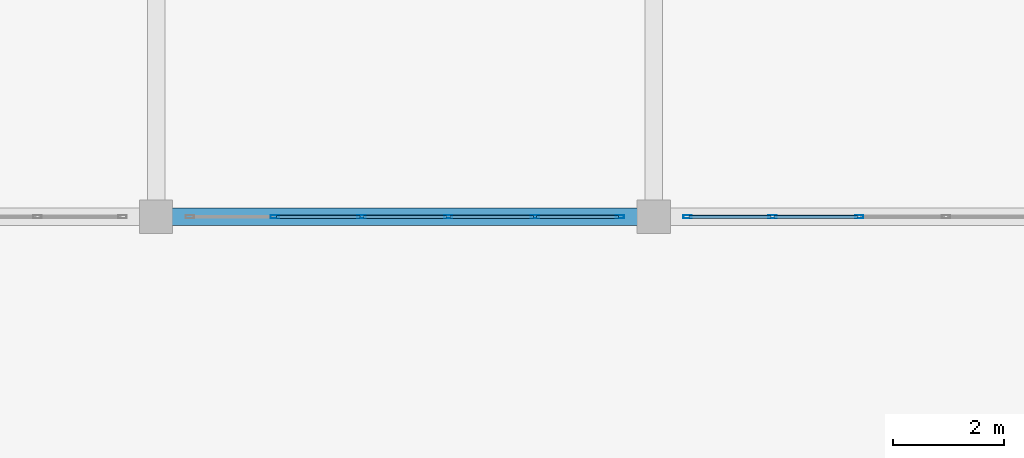
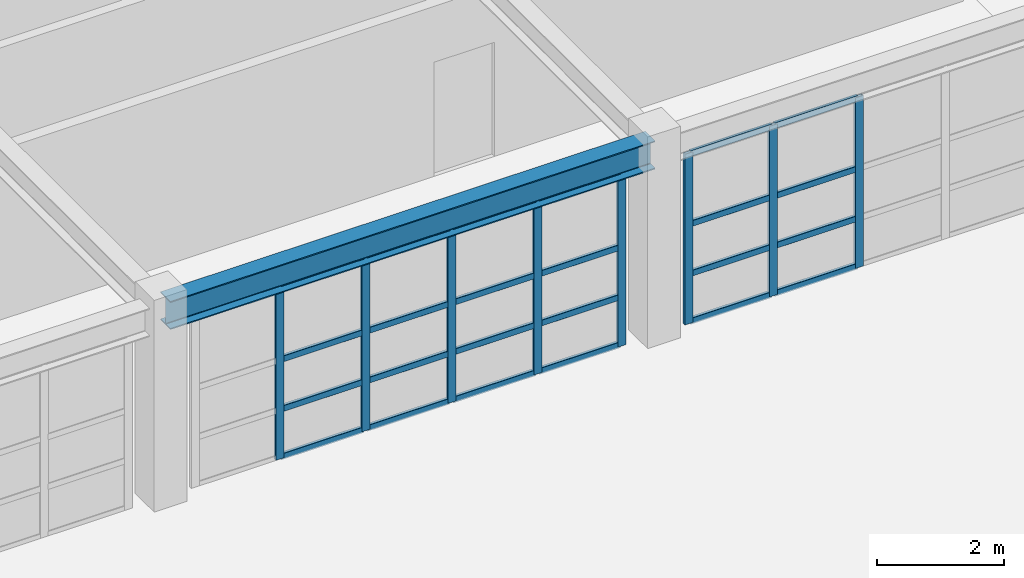
# One storey, part 19 of 110: 32 members, 1 beam, 2 elements without a shape of their own.
"""IFC4 building model written with IfcOpenShell, lengths in metres."""

from ifc_helpers import new_model, si_unit, direction, frame, origin, origin_2d, place, context, subcontext, project, spatial, hollow_rectangle, i_section, extrude, material, material_profile, profile_set, type_object, element, aggregate, save


model = new_model("IFC4")

# Units and contexts
model_context = context("Model", 3, precision=1e-05, world=origin(), true_north=direction((0.0, 1.0)))
body_context = subcontext(model_context, "Body", "Model", "MODEL_VIEW")
ifc_project = project(units=[si_unit("LENGTHUNIT", "METRE"), si_unit("AREAUNIT", "SQUARE_METRE"), si_unit("VOLUMEUNIT", "CUBIC_METRE"), si_unit("PLANEANGLEUNIT", "RADIAN"), si_unit("MASSUNIT", "GRAM", prefix="KILO")], contexts=[model_context])

# Site, building, storey
site_placement = place(None, origin())
site = spatial("IfcSite", under=ifc_project, at=site_placement, CompositionType="ELEMENT")
building_placement = place(site_placement, origin())
building = spatial("IfcBuilding", under=site, at=building_placement, Name="Miravela Opera House", CompositionType="ELEMENT")
storey_placement = place(building_placement, frame((0.0, 0.0, 13.60009765625)))
storey = spatial("IfcBuildingStorey", under=building, at=storey_placement, Name="L03", CompositionType="ELEMENT", Elevation=13.60009765625)

# Curtain wall, members
ifc_material_1 = material(Name="Anodised architectural bronze aluminium 6063-T6", Category="aluminium")
curtain_wall_type = type_object("IfcCurtainWallType", Name="ARC-CW-06", PredefinedType="NOTDEFINED", material=ifc_material_1)
curtain_wall_1_placement = place(storey_placement, origin())
curtain_wall_1 = element("IfcCurtainWall", 1, at=curtain_wall_1_placement, inside=storey, type_object=curtain_wall_type, Name="Courtyard Arcade Curtain Wall CW-L03-150", PredefinedType="NOTDEFINED")
ifc_material_profile_1 = material_profile(ifc_material_1, hollow_rectangle(XDim=0.06005859375, YDim=0.14990234375, WallThickness=0.00390625, InnerFilletRadius=0.001953125, OuterFilletRadius=0.00390625, at=origin_2d()), Name="CWM-60X150")
ifc_profile_set_1 = profile_set([ifc_material_profile_1])
member_type_1 = type_object("IfcMemberType", Name="ARC-CWM-150", PredefinedType="MULLION", material=ifc_profile_set_1)
member_1_placement = place(storey_placement, frame((47.14794921875, 28.0, 0.0), z_axis=(0.0, 0.0, 1.0), x_axis=(0.0, 1.0, 0.0)))
member_1 = element("IfcMember", 2, at=member_1_placement, type_object=member_type_1, Name="CW-06 mullion 2", PredefinedType="MULLION", context=body_context, shape_type="SweptSolid", body=[
    extrude(hollow_rectangle(XDim=0.06005859375, YDim=0.14990234375, WallThickness=0.00390625, InnerFilletRadius=0.001953125, OuterFilletRadius=0.00390625, at=origin_2d()), origin(), (0.0, 0.0, 1.0), 3.289794921875),
])
member_2_placement = place(storey_placement, frame((48.716064453125, 28.0, 0.0), z_axis=(0.0, 0.0, 1.0), x_axis=(0.0, 1.0, 0.0)))
member_2 = element("IfcMember", 3, at=member_2_placement, type_object=member_type_1, Name="CW-06 mullion 3", PredefinedType="MULLION", context=body_context, shape_type="SweptSolid", body=[
    extrude(hollow_rectangle(XDim=0.06005859375, YDim=0.14990234375, WallThickness=0.00390625, InnerFilletRadius=0.001953125, OuterFilletRadius=0.00390625, at=origin_2d()), origin(), (0.0, 0.0, 1.0), 3.289794921875),
])
member_3_placement = place(storey_placement, frame((50.283935546875, 28.0, 0.0), z_axis=(0.0, 0.0, 1.0), x_axis=(0.0, 1.0, 0.0)))
member_3 = element("IfcMember", 4, at=member_3_placement, type_object=member_type_1, Name="CW-06 mullion 4", PredefinedType="MULLION", context=body_context, shape_type="SweptSolid", body=[
    extrude(hollow_rectangle(XDim=0.06005859375, YDim=0.14990234375, WallThickness=0.00390625, InnerFilletRadius=0.001953125, OuterFilletRadius=0.00390625, at=origin_2d()), origin(), (0.0, 0.0, 1.0), 3.289794921875),
])
member_4_placement = place(storey_placement, frame((51.85205078125, 28.0, 0.0), z_axis=(0.0, 0.0, 1.0), x_axis=(0.0, 1.0, 0.0)))
member_4 = element("IfcMember", 5, at=member_4_placement, type_object=member_type_1, Name="CW-06 mullion 5", PredefinedType="MULLION", context=body_context, shape_type="SweptSolid", body=[
    extrude(hollow_rectangle(XDim=0.06005859375, YDim=0.14990234375, WallThickness=0.00390625, InnerFilletRadius=0.001953125, OuterFilletRadius=0.00390625, at=origin_2d()), origin(), (0.0, 0.0, 1.0), 3.289794921875),
])
member_5_placement = place(storey_placement, frame((53.389892578125, 28.0, 0.0), z_axis=(0.0, 0.0, 1.0), x_axis=(0.0, 1.0, 0.0)))
member_5 = element("IfcMember", 6, at=member_5_placement, type_object=member_type_1, Name="CW-06 mullion 6", PredefinedType="MULLION", context=body_context, shape_type="SweptSolid", body=[
    extrude(hollow_rectangle(XDim=0.06005859375, YDim=0.14990234375, WallThickness=0.00390625, InnerFilletRadius=0.001953125, OuterFilletRadius=0.00390625, at=origin_2d()), origin(), (0.0, 0.0, 1.0), 3.289794921875),
])

curtain_wall_2_placement = place(storey_placement, origin())
curtain_wall_2 = element("IfcCurtainWall", 7, at=curtain_wall_2_placement, inside=storey, type_object=curtain_wall_type, Name="Courtyard Arcade Curtain Wall CW-L03-151", PredefinedType="NOTDEFINED")
member_6_placement = place(storey_placement, frame((54.610107421875, 28.0, 0.0), z_axis=(0.0, 0.0, 1.0), x_axis=(0.0, 1.0, 0.0)))
member_6 = element("IfcMember", 8, at=member_6_placement, type_object=member_type_1, Name="CW-06 mullion 1", PredefinedType="MULLION", context=body_context, shape_type="SweptSolid", body=[
    extrude(hollow_rectangle(XDim=0.06005859375, YDim=0.14990234375, WallThickness=0.00390625, InnerFilletRadius=0.001953125, OuterFilletRadius=0.00390625, at=origin_2d()), origin(), (0.0, 0.0, 1.0), 3.289794921875),
])
member_7_placement = place(storey_placement, frame((56.14794921875, 28.0, 0.0), z_axis=(0.0, 0.0, 1.0), x_axis=(0.0, 1.0, 0.0)))
member_7 = element("IfcMember", 9, at=member_7_placement, type_object=member_type_1, Name="CW-06 mullion 2", PredefinedType="MULLION", context=body_context, shape_type="SweptSolid", body=[
    extrude(hollow_rectangle(XDim=0.06005859375, YDim=0.14990234375, WallThickness=0.00390625, InnerFilletRadius=0.001953125, OuterFilletRadius=0.00390625, at=origin_2d()), origin(), (0.0, 0.0, 1.0), 3.289794921875),
])
member_8_placement = place(storey_placement, frame((57.716064453125, 28.0, 0.0), z_axis=(0.0, 0.0, 1.0), x_axis=(0.0, 1.0, 0.0)))
member_8 = element("IfcMember", 10, at=member_8_placement, type_object=member_type_1, Name="CW-06 mullion 3", PredefinedType="MULLION", context=body_context, shape_type="SweptSolid", body=[
    extrude(hollow_rectangle(XDim=0.06005859375, YDim=0.14990234375, WallThickness=0.00390625, InnerFilletRadius=0.001953125, OuterFilletRadius=0.00390625, at=origin_2d()), origin(), (0.0, 0.0, 1.0), 3.289794921875),
])

# Member
ifc_material_profile_2 = material_profile(ifc_material_1, hollow_rectangle(XDim=0.06005859375, YDim=0.114990234375, WallThickness=0.00390625, InnerFilletRadius=0.001953125, OuterFilletRadius=0.00390625, at=origin_2d()), Name="CWT-60X115")
ifc_profile_set_2 = profile_set([ifc_material_profile_2])
member_type_2 = type_object("IfcMemberType", Name="ARC-CWT-115", PredefinedType="USERDEFINED", material=ifc_profile_set_2)
member_9_placement = place(storey_placement, frame((47.177978515625, 28.0, 0.02978515625), z_axis=(1.0, 0.0, 0.0), x_axis=(0.0, 1.0, 0.0)))
member_9 = element("IfcMember", 11, at=member_9_placement, type_object=member_type_2, Name="CW-06 transom 2.1", ObjectType="TRANSOM", PredefinedType="USERDEFINED", context=body_context, shape_type="SweptSolid", body=[
    extrude(hollow_rectangle(XDim=0.06005859375, YDim=0.114990234375, WallThickness=0.00390625, InnerFilletRadius=0.001953125, OuterFilletRadius=0.00390625, at=origin_2d()), origin(), (0.0, 0.0, 1.0), 1.508056640625),
])

member_10_placement = place(storey_placement, frame((47.177978515625, 28.0, 0.949951171875), z_axis=(1.0, 0.0, 0.0), x_axis=(0.0, 1.0, 0.0)))
member_10 = element("IfcMember", 12, at=member_10_placement, type_object=member_type_2, Name="CW-06 transom 2.2", ObjectType="TRANSOM", PredefinedType="USERDEFINED", context=body_context, shape_type="SweptSolid", body=[
    extrude(hollow_rectangle(XDim=0.06005859375, YDim=0.114990234375, WallThickness=0.00390625, InnerFilletRadius=0.001953125, OuterFilletRadius=0.00390625, at=origin_2d()), origin(), (0.0, 0.0, 1.0), 1.508056640625),
])

member_11_placement = place(storey_placement, frame((47.177978515625, 28.0, 1.908203125), z_axis=(1.0, 0.0, 0.0), x_axis=(0.0, 1.0, 0.0)))
member_11 = element("IfcMember", 13, at=member_11_placement, type_object=member_type_2, Name="CW-06 transom 2.3", ObjectType="TRANSOM", PredefinedType="USERDEFINED", context=body_context, shape_type="SweptSolid", body=[
    extrude(hollow_rectangle(XDim=0.06005859375, YDim=0.114990234375, WallThickness=0.00390625, InnerFilletRadius=0.001953125, OuterFilletRadius=0.00390625, at=origin_2d()), origin(), (0.0, 0.0, 1.0), 1.508056640625),
])

member_12_placement = place(storey_placement, frame((47.177978515625, 28.0, 3.260009765625), z_axis=(1.0, 0.0, 0.0), x_axis=(0.0, 1.0, 0.0)))
member_12 = element("IfcMember", 14, at=member_12_placement, type_object=member_type_2, Name="CW-06 transom 2.4", ObjectType="TRANSOM", PredefinedType="USERDEFINED", context=body_context, shape_type="SweptSolid", body=[
    extrude(hollow_rectangle(XDim=0.06005859375, YDim=0.114990234375, WallThickness=0.00390625, InnerFilletRadius=0.001953125, OuterFilletRadius=0.00390625, at=origin_2d()), origin(), (0.0, 0.0, 1.0), 1.508056640625),
])

member_13_placement = place(storey_placement, frame((48.74609375, 28.0, 0.02978515625), z_axis=(1.0, 0.0, 0.0), x_axis=(0.0, 1.0, 0.0)))
member_13 = element("IfcMember", 15, at=member_13_placement, type_object=member_type_2, Name="CW-06 transom 3.1", ObjectType="TRANSOM", PredefinedType="USERDEFINED", context=body_context, shape_type="SweptSolid", body=[
    extrude(hollow_rectangle(XDim=0.06005859375, YDim=0.114990234375, WallThickness=0.00390625, InnerFilletRadius=0.001953125, OuterFilletRadius=0.00390625, at=origin_2d()), origin(), (0.0, 0.0, 1.0), 1.5078125),
])

member_14_placement = place(storey_placement, frame((48.74609375, 28.0, 0.949951171875), z_axis=(1.0, 0.0, 0.0), x_axis=(0.0, 1.0, 0.0)))
member_14 = element("IfcMember", 16, at=member_14_placement, type_object=member_type_2, Name="CW-06 transom 3.2", ObjectType="TRANSOM", PredefinedType="USERDEFINED", context=body_context, shape_type="SweptSolid", body=[
    extrude(hollow_rectangle(XDim=0.06005859375, YDim=0.114990234375, WallThickness=0.00390625, InnerFilletRadius=0.001953125, OuterFilletRadius=0.00390625, at=origin_2d()), origin(), (0.0, 0.0, 1.0), 1.5078125),
])

member_15_placement = place(storey_placement, frame((48.74609375, 28.0, 1.908203125), z_axis=(1.0, 0.0, 0.0), x_axis=(0.0, 1.0, 0.0)))
member_15 = element("IfcMember", 17, at=member_15_placement, type_object=member_type_2, Name="CW-06 transom 3.3", ObjectType="TRANSOM", PredefinedType="USERDEFINED", context=body_context, shape_type="SweptSolid", body=[
    extrude(hollow_rectangle(XDim=0.06005859375, YDim=0.114990234375, WallThickness=0.00390625, InnerFilletRadius=0.001953125, OuterFilletRadius=0.00390625, at=origin_2d()), origin(), (0.0, 0.0, 1.0), 1.5078125),
])

member_16_placement = place(storey_placement, frame((48.74609375, 28.0, 3.260009765625), z_axis=(1.0, 0.0, 0.0), x_axis=(0.0, 1.0, 0.0)))
member_16 = element("IfcMember", 18, at=member_16_placement, type_object=member_type_2, Name="CW-06 transom 3.4", ObjectType="TRANSOM", PredefinedType="USERDEFINED", context=body_context, shape_type="SweptSolid", body=[
    extrude(hollow_rectangle(XDim=0.06005859375, YDim=0.114990234375, WallThickness=0.00390625, InnerFilletRadius=0.001953125, OuterFilletRadius=0.00390625, at=origin_2d()), origin(), (0.0, 0.0, 1.0), 1.5078125),
])

member_17_placement = place(storey_placement, frame((50.31396484375, 28.0, 0.02978515625), z_axis=(1.0, 0.0, 0.0), x_axis=(0.0, 1.0, 0.0)))
member_17 = element("IfcMember", 19, at=member_17_placement, type_object=member_type_2, Name="CW-06 transom 4.1", ObjectType="TRANSOM", PredefinedType="USERDEFINED", context=body_context, shape_type="SweptSolid", body=[
    extrude(hollow_rectangle(XDim=0.06005859375, YDim=0.114990234375, WallThickness=0.00390625, InnerFilletRadius=0.001953125, OuterFilletRadius=0.00390625, at=origin_2d()), origin(), (0.0, 0.0, 1.0), 1.508056640625),
])

member_18_placement = place(storey_placement, frame((50.31396484375, 28.0, 0.949951171875), z_axis=(1.0, 0.0, 0.0), x_axis=(0.0, 1.0, 0.0)))
member_18 = element("IfcMember", 20, at=member_18_placement, type_object=member_type_2, Name="CW-06 transom 4.2", ObjectType="TRANSOM", PredefinedType="USERDEFINED", context=body_context, shape_type="SweptSolid", body=[
    extrude(hollow_rectangle(XDim=0.06005859375, YDim=0.114990234375, WallThickness=0.00390625, InnerFilletRadius=0.001953125, OuterFilletRadius=0.00390625, at=origin_2d()), origin(), (0.0, 0.0, 1.0), 1.508056640625),
])

member_19_placement = place(storey_placement, frame((50.31396484375, 28.0, 1.908203125), z_axis=(1.0, 0.0, 0.0), x_axis=(0.0, 1.0, 0.0)))
member_19 = element("IfcMember", 21, at=member_19_placement, type_object=member_type_2, Name="CW-06 transom 4.3", ObjectType="TRANSOM", PredefinedType="USERDEFINED", context=body_context, shape_type="SweptSolid", body=[
    extrude(hollow_rectangle(XDim=0.06005859375, YDim=0.114990234375, WallThickness=0.00390625, InnerFilletRadius=0.001953125, OuterFilletRadius=0.00390625, at=origin_2d()), origin(), (0.0, 0.0, 1.0), 1.508056640625),
])

member_20_placement = place(storey_placement, frame((50.31396484375, 28.0, 3.260009765625), z_axis=(1.0, 0.0, 0.0), x_axis=(0.0, 1.0, 0.0)))
member_20 = element("IfcMember", 22, at=member_20_placement, type_object=member_type_2, Name="CW-06 transom 4.4", ObjectType="TRANSOM", PredefinedType="USERDEFINED", context=body_context, shape_type="SweptSolid", body=[
    extrude(hollow_rectangle(XDim=0.06005859375, YDim=0.114990234375, WallThickness=0.00390625, InnerFilletRadius=0.001953125, OuterFilletRadius=0.00390625, at=origin_2d()), origin(), (0.0, 0.0, 1.0), 1.508056640625),
])

member_21_placement = place(storey_placement, frame((51.882080078125, 28.0, 0.02978515625), z_axis=(1.0, 0.0, 0.0), x_axis=(0.0, 1.0, 0.0)))
member_21 = element("IfcMember", 23, at=member_21_placement, type_object=member_type_2, Name="CW-06 transom 5.1", ObjectType="TRANSOM", PredefinedType="USERDEFINED", context=body_context, shape_type="SweptSolid", body=[
    extrude(hollow_rectangle(XDim=0.06005859375, YDim=0.114990234375, WallThickness=0.00390625, InnerFilletRadius=0.001953125, OuterFilletRadius=0.00390625, at=origin_2d()), origin(), (0.0, 0.0, 1.0), 1.47802734375),
])

member_22_placement = place(storey_placement, frame((51.882080078125, 28.0, 0.949951171875), z_axis=(1.0, 0.0, 0.0), x_axis=(0.0, 1.0, 0.0)))
member_22 = element("IfcMember", 24, at=member_22_placement, type_object=member_type_2, Name="CW-06 transom 5.2", ObjectType="TRANSOM", PredefinedType="USERDEFINED", context=body_context, shape_type="SweptSolid", body=[
    extrude(hollow_rectangle(XDim=0.06005859375, YDim=0.114990234375, WallThickness=0.00390625, InnerFilletRadius=0.001953125, OuterFilletRadius=0.00390625, at=origin_2d()), origin(), (0.0, 0.0, 1.0), 1.47802734375),
])

member_23_placement = place(storey_placement, frame((51.882080078125, 28.0, 1.908203125), z_axis=(1.0, 0.0, 0.0), x_axis=(0.0, 1.0, 0.0)))
member_23 = element("IfcMember", 25, at=member_23_placement, type_object=member_type_2, Name="CW-06 transom 5.3", ObjectType="TRANSOM", PredefinedType="USERDEFINED", context=body_context, shape_type="SweptSolid", body=[
    extrude(hollow_rectangle(XDim=0.06005859375, YDim=0.114990234375, WallThickness=0.00390625, InnerFilletRadius=0.001953125, OuterFilletRadius=0.00390625, at=origin_2d()), origin(), (0.0, 0.0, 1.0), 1.47802734375),
])

member_24_placement = place(storey_placement, frame((51.882080078125, 28.0, 3.260009765625), z_axis=(1.0, 0.0, 0.0), x_axis=(0.0, 1.0, 0.0)))
member_24 = element("IfcMember", 26, at=member_24_placement, type_object=member_type_2, Name="CW-06 transom 5.4", ObjectType="TRANSOM", PredefinedType="USERDEFINED", context=body_context, shape_type="SweptSolid", body=[
    extrude(hollow_rectangle(XDim=0.06005859375, YDim=0.114990234375, WallThickness=0.00390625, InnerFilletRadius=0.001953125, OuterFilletRadius=0.00390625, at=origin_2d()), origin(), (0.0, 0.0, 1.0), 1.47802734375),
])

aggregate(curtain_wall_1, [member_1, member_2, member_3, member_4, member_5, member_9, member_10, member_11, member_12, member_13, member_14, member_15, member_16, member_17, member_18, member_19, member_20, member_21, member_22, member_23, member_24])

member_25_placement = place(storey_placement, frame((54.639892578125, 28.0, 0.02978515625), z_axis=(1.0, 0.0, 0.0), x_axis=(0.0, 1.0, 0.0)))
member_25 = element("IfcMember", 27, at=member_25_placement, type_object=member_type_2, Name="CW-06 transom 1.1", ObjectType="TRANSOM", PredefinedType="USERDEFINED", context=body_context, shape_type="SweptSolid", body=[
    extrude(hollow_rectangle(XDim=0.06005859375, YDim=0.114990234375, WallThickness=0.00390625, InnerFilletRadius=0.001953125, OuterFilletRadius=0.00390625, at=origin_2d()), origin(), (0.0, 0.0, 1.0), 1.47802734375),
])

member_26_placement = place(storey_placement, frame((54.639892578125, 28.0, 0.949951171875), z_axis=(1.0, 0.0, 0.0), x_axis=(0.0, 1.0, 0.0)))
member_26 = element("IfcMember", 28, at=member_26_placement, type_object=member_type_2, Name="CW-06 transom 1.2", ObjectType="TRANSOM", PredefinedType="USERDEFINED", context=body_context, shape_type="SweptSolid", body=[
    extrude(hollow_rectangle(XDim=0.06005859375, YDim=0.114990234375, WallThickness=0.00390625, InnerFilletRadius=0.001953125, OuterFilletRadius=0.00390625, at=origin_2d()), origin(), (0.0, 0.0, 1.0), 1.47802734375),
])

member_27_placement = place(storey_placement, frame((54.639892578125, 28.0, 1.908203125), z_axis=(1.0, 0.0, 0.0), x_axis=(0.0, 1.0, 0.0)))
member_27 = element("IfcMember", 29, at=member_27_placement, type_object=member_type_2, Name="CW-06 transom 1.3", ObjectType="TRANSOM", PredefinedType="USERDEFINED", context=body_context, shape_type="SweptSolid", body=[
    extrude(hollow_rectangle(XDim=0.06005859375, YDim=0.114990234375, WallThickness=0.00390625, InnerFilletRadius=0.001953125, OuterFilletRadius=0.00390625, at=origin_2d()), origin(), (0.0, 0.0, 1.0), 1.47802734375),
])

member_28_placement = place(storey_placement, frame((54.639892578125, 28.0, 3.260009765625), z_axis=(1.0, 0.0, 0.0), x_axis=(0.0, 1.0, 0.0)))
member_28 = element("IfcMember", 30, at=member_28_placement, type_object=member_type_2, Name="CW-06 transom 1.4", ObjectType="TRANSOM", PredefinedType="USERDEFINED", context=body_context, shape_type="SweptSolid", body=[
    extrude(hollow_rectangle(XDim=0.06005859375, YDim=0.114990234375, WallThickness=0.00390625, InnerFilletRadius=0.001953125, OuterFilletRadius=0.00390625, at=origin_2d()), origin(), (0.0, 0.0, 1.0), 1.47802734375),
])

member_29_placement = place(storey_placement, frame((56.177978515625, 28.0, 0.02978515625), z_axis=(1.0, 0.0, 0.0), x_axis=(0.0, 1.0, 0.0)))
member_29 = element("IfcMember", 31, at=member_29_placement, type_object=member_type_2, Name="CW-06 transom 2.1", ObjectType="TRANSOM", PredefinedType="USERDEFINED", context=body_context, shape_type="SweptSolid", body=[
    extrude(hollow_rectangle(XDim=0.06005859375, YDim=0.114990234375, WallThickness=0.00390625, InnerFilletRadius=0.001953125, OuterFilletRadius=0.00390625, at=origin_2d()), origin(), (0.0, 0.0, 1.0), 1.508056640625),
])

member_30_placement = place(storey_placement, frame((56.177978515625, 28.0, 0.949951171875), z_axis=(1.0, 0.0, 0.0), x_axis=(0.0, 1.0, 0.0)))
member_30 = element("IfcMember", 32, at=member_30_placement, type_object=member_type_2, Name="CW-06 transom 2.2", ObjectType="TRANSOM", PredefinedType="USERDEFINED", context=body_context, shape_type="SweptSolid", body=[
    extrude(hollow_rectangle(XDim=0.06005859375, YDim=0.114990234375, WallThickness=0.00390625, InnerFilletRadius=0.001953125, OuterFilletRadius=0.00390625, at=origin_2d()), origin(), (0.0, 0.0, 1.0), 1.508056640625),
])

member_31_placement = place(storey_placement, frame((56.177978515625, 28.0, 1.908203125), z_axis=(1.0, 0.0, 0.0), x_axis=(0.0, 1.0, 0.0)))
member_31 = element("IfcMember", 33, at=member_31_placement, type_object=member_type_2, Name="CW-06 transom 2.3", ObjectType="TRANSOM", PredefinedType="USERDEFINED", context=body_context, shape_type="SweptSolid", body=[
    extrude(hollow_rectangle(XDim=0.06005859375, YDim=0.114990234375, WallThickness=0.00390625, InnerFilletRadius=0.001953125, OuterFilletRadius=0.00390625, at=origin_2d()), origin(), (0.0, 0.0, 1.0), 1.508056640625),
])

member_32_placement = place(storey_placement, frame((56.177978515625, 28.0, 3.260009765625), z_axis=(1.0, 0.0, 0.0), x_axis=(0.0, 1.0, 0.0)))
member_32 = element("IfcMember", 34, at=member_32_placement, type_object=member_type_2, Name="CW-06 transom 2.4", ObjectType="TRANSOM", PredefinedType="USERDEFINED", context=body_context, shape_type="SweptSolid", body=[
    extrude(hollow_rectangle(XDim=0.06005859375, YDim=0.114990234375, WallThickness=0.00390625, InnerFilletRadius=0.001953125, OuterFilletRadius=0.00390625, at=origin_2d()), origin(), (0.0, 0.0, 1.0), 1.508056640625),
])

aggregate(curtain_wall_2, [member_6, member_7, member_8, member_25, member_26, member_27, member_28, member_29, member_30, member_31, member_32])

# Beam
ifc_material_2 = material(Name="Structural steel ASTM A992 Gr. 50", Category="steel")
ifc_material_profile_3 = material_profile(ifc_material_2, i_section(OverallWidth=0.31201171875, OverallDepth=0.54296875, WebThickness=0.0126953125, FlangeThickness=0.020263671875, FilletRadius=0.01611328125, at=origin_2d()), Name="W530X150")
ifc_profile_set_3 = profile_set([ifc_material_profile_3])
beam_type = type_object("IfcBeamType", Name="STR-BM-W530X150", PredefinedType="BEAM", material=ifc_profile_set_3)
beam_placement = place(storey_placement, frame((45.080078125, 28.0, 3.568359375), z_axis=(1.0, 0.0, 0.0), x_axis=(0.0, 1.0, 0.0)))
element("IfcBeam", 35, at=beam_placement, inside=storey, type_object=beam_type, Name="Roof Eave Girder ROOF-V4-WEST-N S4", PredefinedType="BEAM", context=body_context, shape_type="SweptSolid", body=[
    extrude(i_section(OverallWidth=0.31201171875, OverallDepth=0.54296875, WebThickness=0.0126953125, FlangeThickness=0.020263671875, FilletRadius=0.01611328125, at=origin_2d()), origin(), (0.0, 0.0, 1.0), 8.83984375),
])

save(model, "model.ifc")
